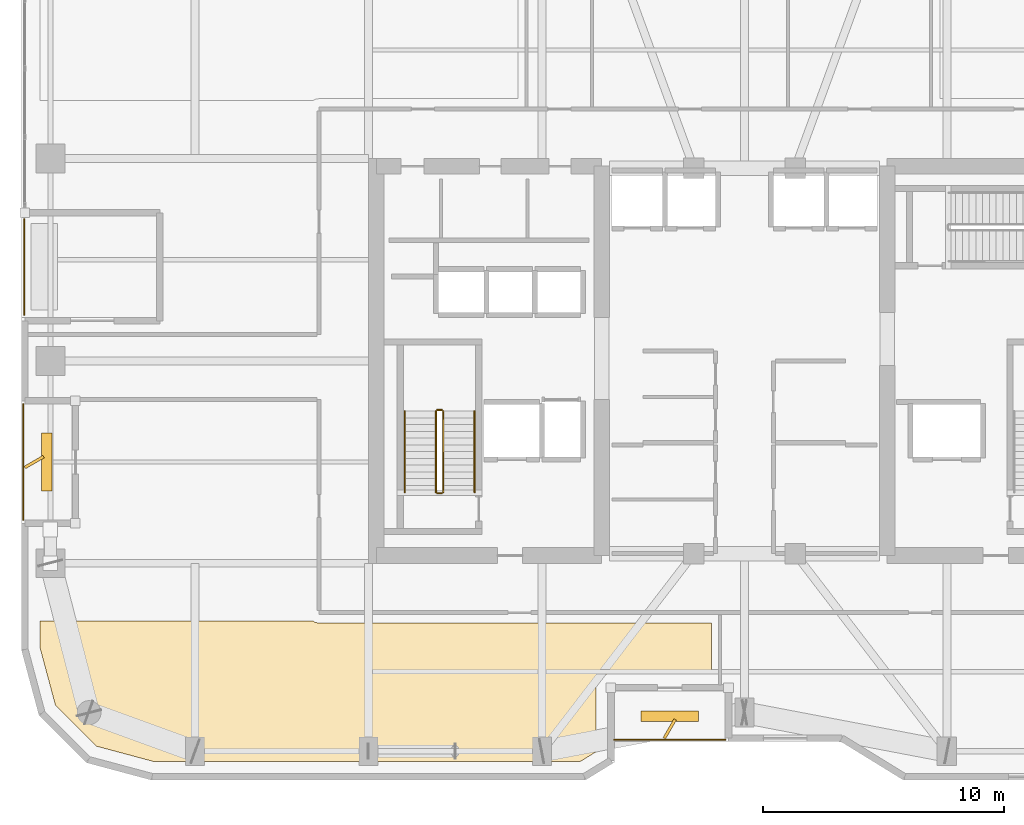
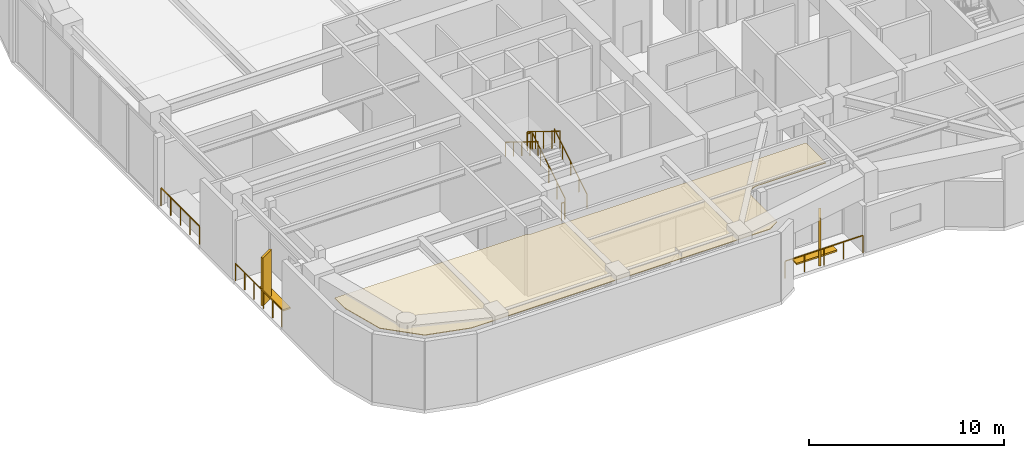
# One storey, part 19 of 21: 9 railings, 4 shading devices, 1 covering.
"""IFC4 building model written with IfcOpenShell, lengths in metres."""

from ifc_helpers import new_model, si_unit, direction, frame, origin, origin_2d, place, context, subcontext, project, spatial, polyline, rectangle, outline, extrude, material, layer, layer_set, type_object, element, save


model = new_model("IFC4")

# Units and contexts
model_context = context("Model", 3, precision=1e-05, world=origin(), true_north=direction((0.0, 1.0)))
body_context = subcontext(model_context, "Body", "Model", "MODEL_VIEW")
ifc_project = project(units=[si_unit("LENGTHUNIT", "METRE"), si_unit("AREAUNIT", "SQUARE_METRE"), si_unit("VOLUMEUNIT", "CUBIC_METRE"), si_unit("PLANEANGLEUNIT", "RADIAN"), si_unit("MASSUNIT", "GRAM", prefix="KILO")], contexts=[model_context])

# Site, building, storey
site_placement = place(None, origin())
site = spatial("IfcSite", under=ifc_project, at=site_placement, CompositionType="ELEMENT")
building_placement = place(site_placement, origin())
building = spatial("IfcBuilding", under=site, at=building_placement, Name="Kiyonajd Concourse Tower", CompositionType="ELEMENT")
storey_placement = place(building_placement, frame((0.0, 0.0, 181.800048828125)))
storey = spatial("IfcBuildingStorey", under=building, at=storey_placement, Name="L46", CompositionType="ELEMENT", Elevation=181.800048828125)

# Covering
ifc_material_1 = material(Name="Natural Oak Acoustic Timber Veneer", Category="wood")
ifc_layer = layer(ifc_material_1, 0.0400390625)
ifc_layer_set = layer_set([ifc_layer], Name="Natural Oak Acoustic Timber Veneer")
covering_type = type_object("IfcCoveringType", Name="CV-CLG-ACST", PredefinedType="CEILING", material=ifc_layer_set)
covering_placement = place(storey_placement, frame((0.0, 0.0, 4.099853515625)))
element("IfcCovering", 1, at=covering_placement, inside=storey, type_object=covering_type, Name="L46-39 Room Acoustic Ceiling", PredefinedType="CEILING", context=body_context, shape_type="SweptSolid", body=[
    extrude(outline(polyline([(30.10205078125, 25.199951171875), (30.156982421875, 25.166015625), (30.219970703125, 25.139892578125), (30.35009765625, 25.1201171875), (46.6298828125, 25.1201171875), (46.6298828125, 23.070068359375), (42.55908203125, 23.068115234375), (42.467041015625, 23.05810546875), (42.360107421875, 23.031005859375), (42.27197265625, 22.99609375), (42.160888671875, 22.931884765625), (42.04296875, 22.83203125), (41.943115234375, 22.699951171875), (41.89208984375, 22.60400390625), (41.868896484375, 22.5400390625), (41.8359375, 22.39208984375), (41.830078125, 19.76904296875), (41.181884765625, 19.3701171875), (23.5009765625, 19.3701171875), (21.097900390625, 20.013916015625), (19.4140625, 21.697998046875), (18.77001953125, 24.10107421875), (18.77001953125, 25.199951171875), (30.10205078125, 25.199951171875)])), origin(), (0.0, 0.0, 1.0), 0.0400390625),
])

# Railings
ifc_material_2 = material(Name="Thermally Broken Anodised Aluminium", Category="aluminium")
railing_type_1 = type_object("IfcRailingType", Name="RL-GRD-LOG", PredefinedType="GUARDRAIL", material=ifc_material_2)
railing_1_placement = place(storey_placement, frame((42.60009765625, 20.280029296875, 0.0)))
element("IfcRailing", 2, at=railing_1_placement, inside=storey, type_object=railing_type_1, Name="L46 Engawa Loggia Perimeter Guard LOG-S", PredefinedType="GUARDRAIL", context=body_context, shape_type="SweptSolid", body=[
    extrude(rectangle(XDim=0.048095703125, YDim=0.048095703125, at=origin_2d()), frame((0.0, 0.0, 1.076171875), z_axis=(1.0, 0.0, 0.0), x_axis=(0.0, 1.0, 0.0)), (0.0, 0.0, 1.0), 4.599853515625),
    extrude(rectangle(XDim=0.0419921875, YDim=0.0419921875, at=origin_2d()), origin(), (0.0, 0.0, 1.0), 1.052001953125),
    extrude(rectangle(XDim=0.0419921875, YDim=0.0419921875, at=origin_2d()), frame((1.14990234375, 0.0, 0.0)), (0.0, 0.0, 1.0), 1.052001953125),
    extrude(rectangle(XDim=0.0419921875, YDim=0.0419921875, at=origin_2d()), frame((2.2998046875, 0.0, 0.0)), (0.0, 0.0, 1.0), 1.052001953125),
    extrude(rectangle(XDim=0.0419921875, YDim=0.0419921875, at=origin_2d()), frame((3.449951171875, 0.0, 0.0)), (0.0, 0.0, 1.0), 1.052001953125),
    extrude(rectangle(XDim=0.0419921875, YDim=0.0419921875, at=origin_2d()), frame((4.599853515625, 0.0, 0.0)), (0.0, 0.0, 1.0), 1.052001953125),
])
railing_2_placement = place(storey_placement, frame((18.080078125, 34.199951171875, 0.0)))
element("IfcRailing", 3, at=railing_2_placement, inside=storey, type_object=railing_type_1, Name="L46 Engawa Loggia Perimeter Guard LOG-W", PredefinedType="GUARDRAIL", context=body_context, shape_type="SweptSolid", body=[
    extrude(rectangle(XDim=0.048095703125, YDim=0.048095703125, at=origin_2d()), frame((0.0, 0.0, 1.076171875), z_axis=(0.0, -1.0, 0.0), x_axis=(1.0, 0.0, 0.0)), (0.0, 0.0, 1.0), 4.800048828125),
    extrude(rectangle(XDim=0.0419921875, YDim=0.0419921875, at=origin_2d()), origin(), (0.0, 0.0, 1.0), 1.052001953125),
    extrude(rectangle(XDim=0.0419921875, YDim=0.0419921875, at=origin_2d()), frame((0.0, -0.9599609375, 0.0)), (0.0, 0.0, 1.0), 1.052001953125),
    extrude(rectangle(XDim=0.0419921875, YDim=0.0419921875, at=origin_2d()), frame((0.0, -1.919921875, 0.0)), (0.0, 0.0, 1.0), 1.052001953125),
    extrude(rectangle(XDim=0.0419921875, YDim=0.0419921875, at=origin_2d()), frame((0.0, -2.880126953125, 0.0)), (0.0, 0.0, 1.0), 1.052001953125),
    extrude(rectangle(XDim=0.0419921875, YDim=0.0419921875, at=origin_2d()), frame((0.0, -3.840087890625, 0.0)), (0.0, 0.0, 1.0), 1.052001953125),
    extrude(rectangle(XDim=0.0419921875, YDim=0.0419921875, at=origin_2d()), frame((0.0, -4.800048828125, 0.0)), (0.0, 0.0, 1.0), 1.052001953125),
])
railing_type_2 = type_object("IfcRailingType", Name="RL-GRD-SKY", PredefinedType="GUARDRAIL", material=ifc_material_2)
railing_3_placement = place(storey_placement, frame((18.1201171875, 37.919921875, 0.0)))
element("IfcRailing", 4, at=railing_3_placement, inside=storey, type_object=railing_type_2, Name="L46 West Ribbon Sky Garden Wind Baffle Guard", PredefinedType="GUARDRAIL", context=body_context, shape_type="SweptSolid", body=[
    extrude(rectangle(XDim=0.048095703125, YDim=0.048095703125, at=origin_2d()), frame((0.0, 0.0, 1.1259765625), z_axis=(0.0, 1.0, 0.0), x_axis=(-1.0, 0.0, 0.0)), (0.0, 0.0, 1.0), 3.9599609375),
    extrude(rectangle(XDim=0.0419921875, YDim=0.0419921875, at=origin_2d()), origin(), (0.0, 0.0, 1.0), 1.101806640625),
    extrude(rectangle(XDim=0.0419921875, YDim=0.0419921875, at=origin_2d()), frame((0.0, 0.989990234375, 0.0)), (0.0, 0.0, 1.0), 1.101806640625),
    extrude(rectangle(XDim=0.0419921875, YDim=0.0419921875, at=origin_2d()), frame((0.0, 1.97998046875, 0.0)), (0.0, 0.0, 1.0), 1.101806640625),
    extrude(rectangle(XDim=0.0419921875, YDim=0.0419921875, at=origin_2d()), frame((0.0, 2.969970703125, 0.0)), (0.0, 0.0, 1.0), 1.101806640625),
    extrude(rectangle(XDim=0.0419921875, YDim=0.0419921875, at=origin_2d()), frame((0.0, 3.9599609375, 0.0)), (0.0, 0.0, 1.0), 1.101806640625),
])
ifc_material_3 = material(Name="Steel ASTM A500 Grade C", Category="steel")
railing_type_3 = type_object("IfcRailingType", Name="RL-GRD-STR", PredefinedType="GUARDRAIL", material=ifc_material_3)
railing_4_placement = place(storey_placement, frame((35.5, 30.550048828125, 0.173095703125)))
element("IfcRailing", 5, at=railing_4_placement, inside=storey, type_object=railing_type_3, Name="L46 ST1 stair guard 1", PredefinedType="GUARDRAIL", context=body_context, shape_type="SweptSolid", body=[
    extrude(rectangle(XDim=0.048095703125, YDim=0.048095703125, at=origin_2d()), frame((0.0, 0.0, 1.076171875), z_axis=(0.0, 0.850606129759, 0.525803396734), x_axis=(-1.0, 0.0, 0.0)), (0.0, 0.0, 1.0), 3.949951171875),
    extrude(rectangle(XDim=0.0419921875, YDim=0.0419921875, at=origin_2d()), origin(), (0.0, 0.0, 1.0), 1.052001953125),
    extrude(rectangle(XDim=0.0419921875, YDim=0.0419921875, at=origin_2d()), frame((0.0, 0.83984375, 0.519287109375)), (0.0, 0.0, 1.0), 1.052001953125),
    extrude(rectangle(XDim=0.0419921875, YDim=0.0419921875, at=origin_2d()), frame((0.0, 1.679931640625, 1.03857421875)), (0.0, 0.0, 1.0), 1.052001953125),
    extrude(rectangle(XDim=0.0419921875, YDim=0.0419921875, at=origin_2d()), frame((0.0, 2.52001953125, 1.5576171875)), (0.0, 0.0, 1.0), 1.052001953125),
    extrude(rectangle(XDim=0.0419921875, YDim=0.0419921875, at=origin_2d()), frame((0.0, 3.35986328125, 2.076904296875)), (0.0, 0.0, 1.0), 1.052001953125),
])
railing_5_placement = place(storey_placement, frame((35.449951171875, 33.9599609375, 2.25)))
element("IfcRailing", 6, at=railing_5_placement, inside=storey, type_object=railing_type_3, Name="L46 ST1 stair guard 2", PredefinedType="GUARDRAIL", context=body_context, shape_type="SweptSolid", body=[
    extrude(rectangle(XDim=0.048095703125, YDim=0.048095703125, at=origin_2d()), frame((0.0, 0.0, 1.076171875), z_axis=(-1.0, 0.0, 0.0), x_axis=(0.0, -1.0, 0.0)), (0.0, 0.0, 1.0), 0.199951171875),
    extrude(rectangle(XDim=0.0419921875, YDim=0.0419921875, at=origin_2d()), origin(), (0.0, 0.0, 1.0), 1.052001953125),
    extrude(rectangle(XDim=0.0419921875, YDim=0.0419921875, at=origin_2d()), frame((-0.199951171875, 0.0, 0.0)), (0.0, 0.0, 1.0), 1.052001953125),
])
railing_6_placement = place(storey_placement, frame((35.199951171875, 33.909912109375, 2.423095703125)))
element("IfcRailing", 7, at=railing_6_placement, inside=storey, type_object=railing_type_3, Name="L46 ST1 stair guard 3", PredefinedType="GUARDRAIL", context=body_context, shape_type="SweptSolid", body=[
    extrude(rectangle(XDim=0.048095703125, YDim=0.048095703125, at=origin_2d()), frame((0.0, 0.0, 1.076171875), z_axis=(0.0, -0.850606129759, 0.525803396734), x_axis=(1.0, 0.0, 0.0)), (0.0, 0.0, 1.0), 3.949951171875),
    extrude(rectangle(XDim=0.0419921875, YDim=0.0419921875, at=origin_2d()), origin(), (0.0, 0.0, 1.0), 1.052001953125),
    extrude(rectangle(XDim=0.0419921875, YDim=0.0419921875, at=origin_2d()), frame((0.0, -0.83984375, 0.519287109375)), (0.0, 0.0, 1.0), 1.052001953125),
    extrude(rectangle(XDim=0.0419921875, YDim=0.0419921875, at=origin_2d()), frame((0.0, -1.679931640625, 1.03857421875)), (0.0, 0.0, 1.0), 1.052001953125),
    extrude(rectangle(XDim=0.0419921875, YDim=0.0419921875, at=origin_2d()), frame((0.0, -2.52001953125, 1.5576171875)), (0.0, 0.0, 1.0), 1.052001953125),
    extrude(rectangle(XDim=0.0419921875, YDim=0.0419921875, at=origin_2d()), frame((0.0, -3.35986328125, 2.076904296875)), (0.0, 0.0, 1.0), 1.052001953125),
])
railing_7_placement = place(storey_placement, frame((35.449951171875, 30.5, 0.0)))
element("IfcRailing", 8, at=railing_7_placement, inside=storey, type_object=railing_type_3, Name="L46 ST1 stair guard 4", PredefinedType="GUARDRAIL", context=body_context, shape_type="SweptSolid", body=[
    extrude(rectangle(XDim=0.048095703125, YDim=0.048095703125, at=origin_2d()), frame((0.0, 0.0, 1.076171875), z_axis=(-1.0, 0.0, 0.0), x_axis=(0.0, -1.0, 0.0)), (0.0, 0.0, 1.0), 0.199951171875),
    extrude(rectangle(XDim=0.0419921875, YDim=0.0419921875, at=origin_2d()), origin(), (0.0, 0.0, 1.0), 1.052001953125),
    extrude(rectangle(XDim=0.0419921875, YDim=0.0419921875, at=origin_2d()), frame((-0.199951171875, 0.0, 0.0)), (0.0, 0.0, 1.0), 1.052001953125),
])
ifc_material_4 = material(Name="Brushed Stainless Steel Cab Assembly", Category="steel")
railing_type_4 = type_object("IfcRailingType", Name="RL-HND-900", PredefinedType="HANDRAIL", material=ifc_material_4)
railing_8_placement = place(storey_placement, frame((36.800048828125, 30.550048828125, 0.173095703125)))
element("IfcRailing", 9, at=railing_8_placement, inside=storey, type_object=railing_type_4, Name="L46 ST1 stair handrail 1", PredefinedType="HANDRAIL", context=body_context, shape_type="SweptSolid", body=[
    extrude(rectangle(XDim=0.048095703125, YDim=0.048095703125, at=origin_2d()), frame((0.0, 0.0, 0.8759765625), z_axis=(0.0, 0.850606129759, 0.525803396734), x_axis=(-1.0, 0.0, 0.0)), (0.0, 0.0, 1.0), 3.949951171875),
    extrude(rectangle(XDim=0.0419921875, YDim=0.0419921875, at=origin_2d()), origin(), (0.0, 0.0, 1.0), 0.851806640625),
    extrude(rectangle(XDim=0.0419921875, YDim=0.0419921875, at=origin_2d()), frame((0.0, 0.83984375, 0.519287109375)), (0.0, 0.0, 1.0), 0.851806640625),
    extrude(rectangle(XDim=0.0419921875, YDim=0.0419921875, at=origin_2d()), frame((0.0, 1.679931640625, 1.03857421875)), (0.0, 0.0, 1.0), 0.851806640625),
    extrude(rectangle(XDim=0.0419921875, YDim=0.0419921875, at=origin_2d()), frame((0.0, 2.52001953125, 1.5576171875)), (0.0, 0.0, 1.0), 0.851806640625),
    extrude(rectangle(XDim=0.0419921875, YDim=0.0419921875, at=origin_2d()), frame((0.0, 3.35986328125, 2.076904296875)), (0.0, 0.0, 1.0), 0.851806640625),
])
railing_9_placement = place(storey_placement, frame((33.89990234375, 33.909912109375, 2.423095703125)))
element("IfcRailing", 10, at=railing_9_placement, inside=storey, type_object=railing_type_4, Name="L46 ST1 stair handrail 2", PredefinedType="HANDRAIL", context=body_context, shape_type="SweptSolid", body=[
    extrude(rectangle(XDim=0.048095703125, YDim=0.048095703125, at=origin_2d()), frame((0.0, 0.0, 0.8759765625), z_axis=(0.0, -0.850606129759, 0.525803396734), x_axis=(1.0, 0.0, 0.0)), (0.0, 0.0, 1.0), 3.949951171875),
    extrude(rectangle(XDim=0.0419921875, YDim=0.0419921875, at=origin_2d()), origin(), (0.0, 0.0, 1.0), 0.851806640625),
    extrude(rectangle(XDim=0.0419921875, YDim=0.0419921875, at=origin_2d()), frame((0.0, -0.83984375, 0.519287109375)), (0.0, 0.0, 1.0), 0.851806640625),
    extrude(rectangle(XDim=0.0419921875, YDim=0.0419921875, at=origin_2d()), frame((0.0, -1.679931640625, 1.03857421875)), (0.0, 0.0, 1.0), 0.851806640625),
    extrude(rectangle(XDim=0.0419921875, YDim=0.0419921875, at=origin_2d()), frame((0.0, -2.52001953125, 1.5576171875)), (0.0, 0.0, 1.0), 0.851806640625),
    extrude(rectangle(XDim=0.0419921875, YDim=0.0419921875, at=origin_2d()), frame((0.0, -3.35986328125, 2.076904296875)), (0.0, 0.0, 1.0), 0.851806640625),
])

# Shading devices
ifc_material_5 = material(Name="Precast concrete C50/60", Category="concrete")
shading_device_type_1 = type_object("IfcShadingDeviceType", Name="SH-FIN-900", PredefinedType="USERDEFINED", material=ifc_material_5)
for number, where, z_axis, x_axis, name in (
    (11, (44.89990234375, 20.72998046875, 0.0), (0.0, 0.0, 1.0), (0.5, 0.866025403784, 0.0), "L46 Angled Koshi Solar Fin LOG-S"),
    (12, (18.530029296875, 31.800048828125, 0.0), (0.0, 0.0, 1.0), (0.866025403784, 0.5, 0.0), "L46 Angled Koshi Solar Fin LOG-W"),
):
    element("IfcShadingDevice", number, at=place(storey_placement, frame(where, z_axis=z_axis, x_axis=x_axis)), inside=storey, type_object=shading_device_type_1, Name=name, ObjectType="FIN", PredefinedType="USERDEFINED", context=body_context, shape_type="SweptSolid", body=[
        extrude(rectangle(XDim=0.89990234375, YDim=0.1201171875, at=origin_2d()), origin(), (0.0, 0.0, 1.0), 3.0),
    ])
shading_device_type_2 = type_object("IfcShadingDeviceType", Name="SH-LVR-600", PredefinedType="JALOUSIE", material=ifc_material_2)
for number, where, z_axis, x_axis, name in (
    (13, (44.89990234375, 21.25, 0.0), (0.0, 0.0, 1.0), (1.0, 0.0, 0.0), "L46 Loggia Threshold Louver LOG-S"),
    (14, (19.050048828125, 31.800048828125, 0.0), (0.0, 0.0, 1.0), (0.0, 1.0, 0.0), "L46 Loggia Threshold Louver LOG-W"),
):
    element("IfcShadingDevice", number, at=place(storey_placement, frame(where, z_axis=z_axis, x_axis=x_axis)), inside=storey, type_object=shading_device_type_2, Name=name, PredefinedType="JALOUSIE", context=body_context, shape_type="SweptSolid", body=[
        extrude(rectangle(XDim=2.39990234375, YDim=0.449951171875, at=origin_2d()), origin(), (0.0, 0.0, 1.0), 0.10009765625),
    ])

save(model, "model.ifc")
